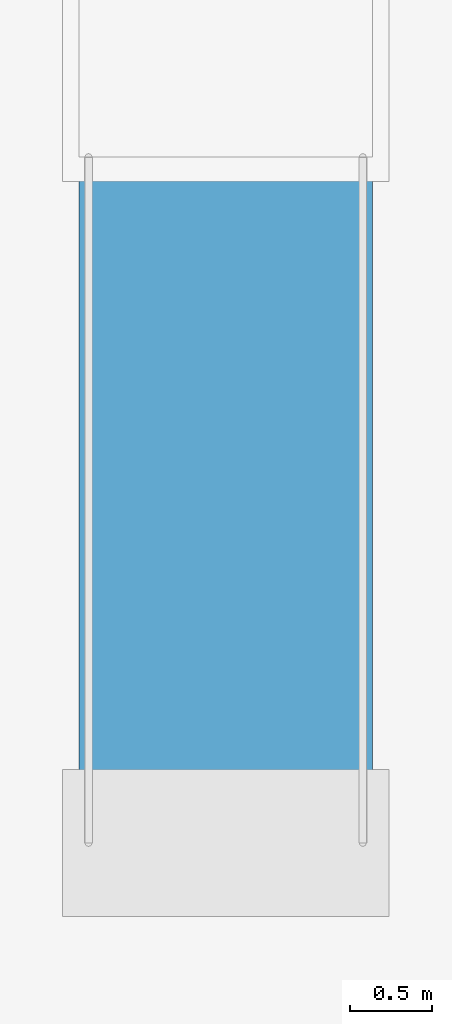
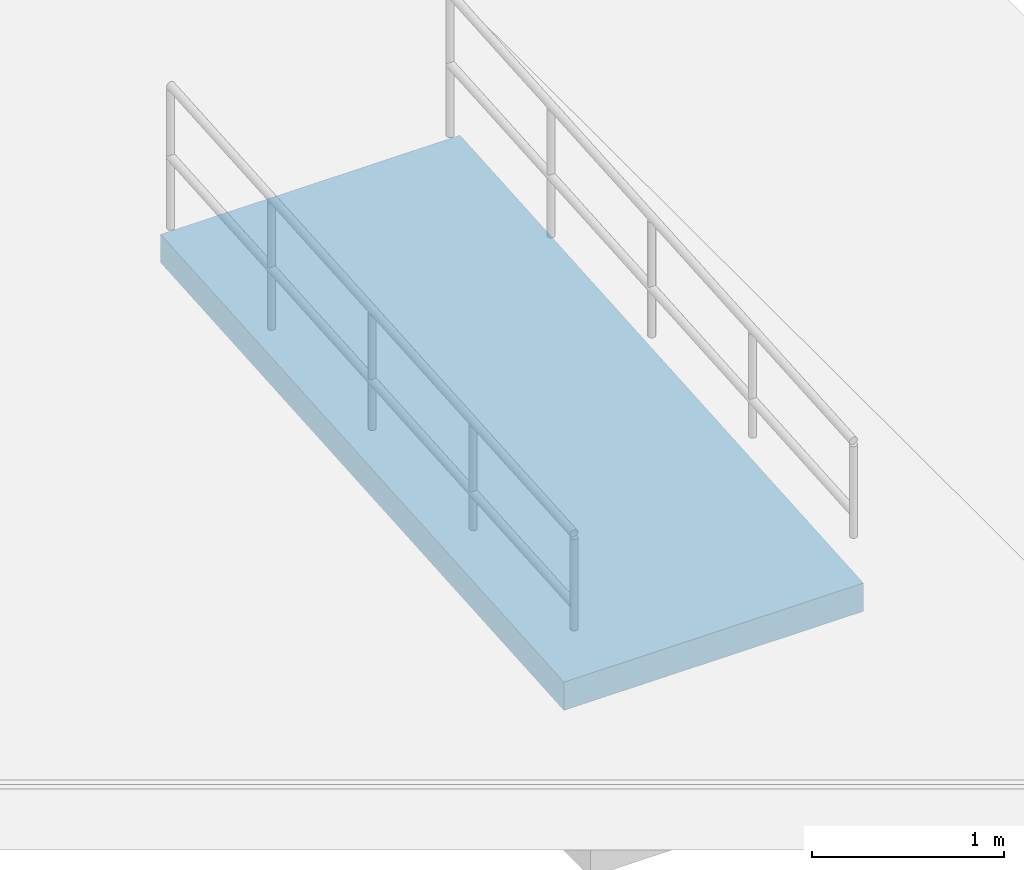
# One storey, part 104 of 180: 1 ramp flight, 1 element without a shape of its own.
"""IFC4 building model written with IfcOpenShell, lengths in metres."""

from ifc_helpers import new_model, si_unit, direction, frame, origin, place, context, subcontext, project, spatial, polyline, outline, extrude, material, layer, layer_set, type_object, element, aggregate, save


model = new_model("IFC4")

# Units and contexts
model_context = context("Model", 3, precision=1e-05, world=origin(), true_north=direction((0.0, 1.0)))
body_context = subcontext(model_context, "Body", "Model", "MODEL_VIEW")
ifc_project = project(units=[si_unit("LENGTHUNIT", "METRE"), si_unit("AREAUNIT", "SQUARE_METRE"), si_unit("VOLUMEUNIT", "CUBIC_METRE"), si_unit("PLANEANGLEUNIT", "RADIAN"), si_unit("MASSUNIT", "GRAM", prefix="KILO"), si_unit("THERMODYNAMICTEMPERATUREUNIT", "KELVIN"), si_unit("POWERUNIT", "WATT")], contexts=[model_context])

# Site, building, storey
site_placement = place(None, origin())
site = spatial("IfcSite", under=ifc_project, at=site_placement, CompositionType="ELEMENT")
building_placement = place(site_placement, origin())
building = spatial("IfcBuilding", under=site, at=building_placement, Name="Tallowbark Science Centre", CompositionType="ELEMENT")
storey_placement = place(building_placement, origin())
storey = spatial("IfcBuildingStorey", under=building, at=storey_placement, Name="L00", CompositionType="ELEMENT", Elevation=0.0)

# Ramp, ramp flight
ifc_material = material(Name="Concrete Grade N40 (40 MPa)", Category="concrete")
ramp_type = type_object("IfcRampType", Name="RMP-ACC-14", PredefinedType="STRAIGHT_RUN_RAMP", material=ifc_material)
ramp_placement = place(storey_placement, origin())
ramp = element("IfcRamp", 1, at=ramp_placement, inside=storey, type_object=ramp_type, Name="Accessible 1:14 Ramp RMP-06", PredefinedType="STRAIGHT_RUN_RAMP")
ifc_layer = layer(ifc_material, 0.179931640625)
ifc_layer_set = layer_set([ifc_layer], Name="Concrete Grade N40 (40 MPa)")
ramp_flight_type = type_object("IfcRampFlightType", Name="RMF-ACC-14", PredefinedType="STRAIGHT", material=ifc_layer_set)
ramp_flight_placement = place(storey_placement, frame((160.5, 52.0, -0.300048828125), z_axis=(0.0, 0.0, 1.0), x_axis=(0.0, 1.0, 0.0)))
ramp_flight = element("IfcRampFlight", 2, at=ramp_flight_placement, type_object=ramp_flight_type, Name="Accessible Ramp Flight RMP-06", PredefinedType="STRAIGHT", context=body_context, shape_type="SweptSolid", body=[
    extrude(outline(polyline([(0.0, 0.0), (0.0, -0.179931640625), (4.199951171875, 0.1201171875), (4.199951171875, 0.300048828125), (0.0, 0.0)])), frame((0.0, 0.89990234375, 0.0), z_axis=(0.0, -1.0, 0.0), x_axis=(1.0, 0.0, 0.0)), (0.0, 0.0, 1.0), 1.800048828125),
])
aggregate(ramp, [ramp_flight])

save(model, "model.ifc")
